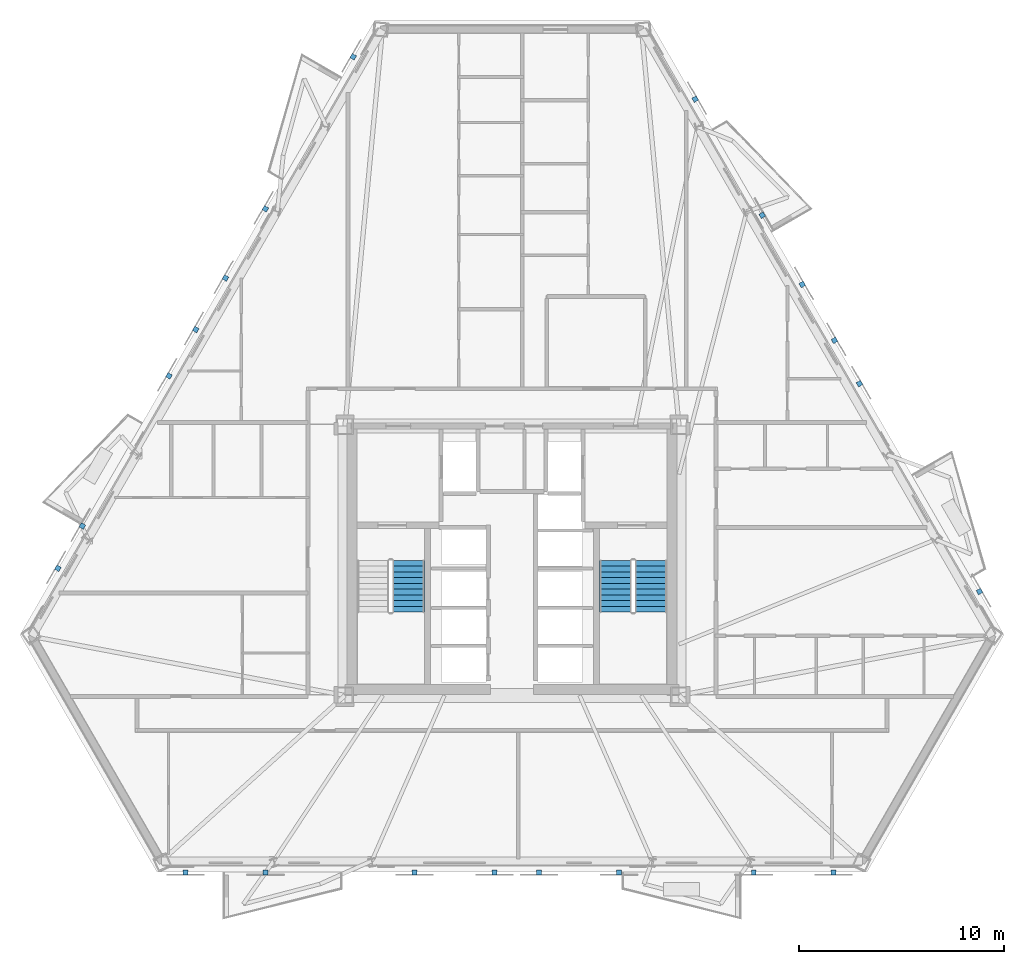
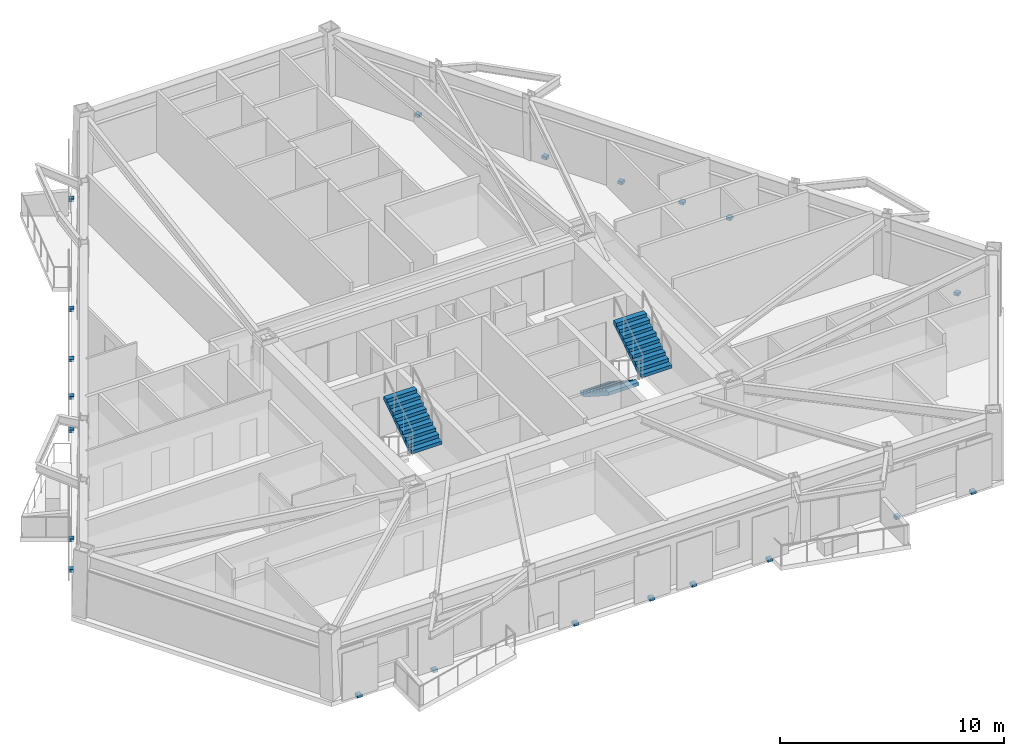
# One storey, part 7 of 11: 21 discrete accessories, 3 stair flights, 2 elements without a shape of their own.
"""IFC4 building model written with IfcOpenShell, lengths in metres."""

from ifc_helpers import new_model, si_unit, direction, frame, origin, origin_2d, place, context, subcontext, project, spatial, polyline, rectangle, outline, extrude, material, type_object, element, aggregate, save


model = new_model("IFC4")

# Units and contexts
model_context = context("Model", 3, precision=1e-05, world=origin(), true_north=direction((0.0, 1.0)))
body_context = subcontext(model_context, "Body", "Model", "MODEL_VIEW")
ifc_project = project(units=[si_unit("LENGTHUNIT", "METRE"), si_unit("AREAUNIT", "SQUARE_METRE"), si_unit("VOLUMEUNIT", "CUBIC_METRE"), si_unit("PLANEANGLEUNIT", "RADIAN"), si_unit("MASSUNIT", "GRAM", prefix="KILO")], contexts=[model_context])

# Site, building, storey
site_placement = place(None, origin())
site = spatial("IfcSite", under=ifc_project, at=site_placement, CompositionType="ELEMENT")
building_placement = place(site_placement, origin())
building = spatial("IfcBuilding", under=site, at=building_placement, Name="Oramaril Tower", CompositionType="ELEMENT")
storey_placement = place(building_placement, frame((0.0, 0.0, 82.5)))
storey = spatial("IfcBuildingStorey", under=building, at=storey_placement, Name="L21", CompositionType="ELEMENT", Elevation=82.5)

# Stair, stair flight
ifc_material_1 = material(Name="Concrete C50/60", Category="concrete")
stair_type = type_object("IfcStairType", Name="STT-DG-3600", PredefinedType="HALF_TURN_STAIR", material=ifc_material_1)
stair_1_placement = place(storey_placement, origin())
stair_1 = element("IfcStair", 1, at=stair_1_placement, inside=storey, type_object=stair_type, Name="L21 Protected PFP Exit Stair ST-1", PredefinedType="HALF_TURN_STAIR")
ifc_material_2 = material(Name="Concrete C50/60", Category="concrete")
stair_flight_type = type_object("IfcStairFlightType", Name="SFT-DG-3600", PredefinedType="STRAIGHT", material=ifc_material_2)
stair_flight_1_placement = place(storey_placement, frame((32.43994140625, 15.070068359375, 1.800048828125), z_axis=(0.0, 0.0, 1.0), x_axis=(0.0, 1.0, 0.0)))
stair_flight_1 = element("IfcStairFlight", 2, at=stair_flight_1_placement, type_object=stair_flight_type, Name="ST-1 flight 2", NumberOfRisers=10, NumberOfTreads=9, PredefinedType="STRAIGHT", RiserHeight=0.18, TreadLength=0.28, context=body_context, shape_type="SweptSolid", body=[
    extrude(outline(polyline([(0.0, 0.0), (0.0, 0.179931640625), (0.280029296875, 0.179931640625), (0.280029296875, 0.360107421875), (0.56005859375, 0.360107421875), (0.56005859375, 0.5400390625), (0.840087890625, 0.5400390625), (0.840087890625, 0.719970703125), (1.1201171875, 0.719970703125), (1.1201171875, 0.89990234375), (1.39990234375, 0.89990234375), (1.39990234375, 1.080078125), (1.679931640625, 1.080078125), (1.679931640625, 1.260009765625), (1.9599609375, 1.260009765625), (1.9599609375, 1.43994140625), (2.239990234375, 1.43994140625), (2.239990234375, 1.6201171875), (2.52001953125, 1.6201171875), (2.52001953125, 1.800048828125), (2.52001953125, 1.44189453125), (0.277099609375, 0.0), (0.0, 0.0)])), frame((0.0, 0.780029296875, 0.0), z_axis=(0.0, -1.0, 0.0), x_axis=(1.0, 0.0, 0.0)), (0.0, 0.0, 1.0), 1.56005859375),
])
aggregate(stair_1, [stair_flight_1])

# Stair, stair flights
stair_2_placement = place(storey_placement, origin())
stair_2 = element("IfcStair", 3, at=stair_2_placement, inside=storey, type_object=stair_type, Name="L21 Protected PFP Exit Stair ST-2", PredefinedType="HALF_TURN_STAIR")
stair_flight_2_placement = place(storey_placement, frame((42.56005859375, 17.590087890625, 0.0), z_axis=(0.0, 0.0, 1.0), x_axis=(0.0, -1.0, 0.0)))
stair_flight_2 = element("IfcStairFlight", 4, at=stair_flight_2_placement, type_object=stair_flight_type, Name="ST-2 flight 1", NumberOfRisers=10, NumberOfTreads=9, PredefinedType="STRAIGHT", RiserHeight=0.18, TreadLength=0.28, context=body_context, shape_type="SweptSolid", body=[
    extrude(outline(polyline([(0.0, 0.0), (0.0, 0.179931640625), (0.280029296875, 0.179931640625), (0.280029296875, 0.360107421875), (0.56005859375, 0.360107421875), (0.56005859375, 0.5400390625), (0.840087890625, 0.5400390625), (0.840087890625, 0.719970703125), (1.1201171875, 0.719970703125), (1.1201171875, 0.89990234375), (1.39990234375, 0.89990234375), (1.39990234375, 1.080078125), (1.679931640625, 1.080078125), (1.679931640625, 1.260009765625), (1.9599609375, 1.260009765625), (1.9599609375, 1.43994140625), (2.239990234375, 1.43994140625), (2.239990234375, 1.6201171875), (2.52001953125, 1.6201171875), (2.52001953125, 1.800048828125), (2.52001953125, 1.44189453125), (0.277099609375, 0.0), (0.0, 0.0)])), frame((0.0, 0.780029296875, 0.0), z_axis=(0.0, -1.0, 0.0), x_axis=(1.0, 0.0, 0.0)), (0.0, 0.0, 1.0), 1.56005859375),
])
stair_flight_3_placement = place(storey_placement, frame((44.27001953125, 15.070068359375, 1.800048828125), z_axis=(0.0, 0.0, 1.0), x_axis=(0.0, 1.0, 0.0)))
stair_flight_3 = element("IfcStairFlight", 5, at=stair_flight_3_placement, type_object=stair_flight_type, Name="ST-2 flight 2", NumberOfRisers=10, NumberOfTreads=9, PredefinedType="STRAIGHT", RiserHeight=0.18, TreadLength=0.28, context=body_context, shape_type="SweptSolid", body=[
    extrude(outline(polyline([(0.0, 0.0), (0.0, 0.179931640625), (0.280029296875, 0.179931640625), (0.280029296875, 0.360107421875), (0.56005859375, 0.360107421875), (0.56005859375, 0.5400390625), (0.840087890625, 0.5400390625), (0.840087890625, 0.719970703125), (1.1201171875, 0.719970703125), (1.1201171875, 0.89990234375), (1.39990234375, 0.89990234375), (1.39990234375, 1.080078125), (1.679931640625, 1.080078125), (1.679931640625, 1.260009765625), (1.9599609375, 1.260009765625), (1.9599609375, 1.43994140625), (2.239990234375, 1.43994140625), (2.239990234375, 1.6201171875), (2.52001953125, 1.6201171875), (2.52001953125, 1.800048828125), (2.52001953125, 1.44189453125), (0.277099609375, 0.0), (0.0, 0.0)])), frame((0.0, 0.780029296875, 0.0), z_axis=(0.0, -1.0, 0.0), x_axis=(1.0, 0.0, 0.0)), (0.0, 0.0, 1.0), 1.56005859375),
])
aggregate(stair_2, [stair_flight_2, stair_flight_3])

# Discrete accessories
for number, where, z_axis, x_axis, name in (
    (6, (21.577880859375, 2.359130859375, -0.14013671875), (0.0, 0.0, 1.0), (1.0, 0.0, 0.0), "L21 Solar Screen Slab Bracket"),
    (7, (25.477783203125, 2.359130859375, -0.14013671875), (0.0, 0.0, 1.0), (1.0, 0.0, 0.0), "L21 Solar Screen Slab Bracket"),
    (8, (32.738037109375, 2.359130859375, -0.14013671875), (0.0, 0.0, 1.0), (1.0, 0.0, 0.0), "L21 Solar Screen Slab Bracket"),
    (9, (36.637939453125, 2.359130859375, -0.14013671875), (0.0, 0.0, 1.0), (1.0, 0.0, 0.0), "L21 Solar Screen Slab Bracket"),
    (10, (38.81201171875, 2.359130859375, -0.14013671875), (0.0, 0.0, 1.0), (1.0, 0.0, 0.0), "L21 Solar Screen Slab Bracket"),
    (11, (42.7119140625, 2.359130859375, -0.14013671875), (0.0, 0.0, 1.0), (1.0, 0.0, 0.0), "L21 Solar Screen Slab Bracket"),
    (12, (49.297119140625, 2.359130859375, -0.14013671875), (0.0, 0.0, 1.0), (1.0, 0.0, 0.0), "L21 Solar Screen Slab Bracket"),
    (13, (53.197265625, 2.359130859375, -0.14013671875), (0.0, 0.0, 1.0), (1.0, 0.0, 0.0), "L21 Solar Screen Slab Bracket"),
    (14, (60.310791015625, 16.072021484375, -0.14013671875), (0.0, 0.0, 1.0), (-0.5, 0.866025403784, 0.0), "L21 Solar Screen Slab Bracket"),
    (15, (46.439697265625, 40.097412109375, -0.14013671875), (0.0, 0.0, 1.0), (-0.5, 0.866025403784, 0.0), "L21 Solar Screen Slab Bracket"),
    (16, (51.659912109375, 31.055908203125, -0.14013671875), (0.0, 0.0, 1.0), (-0.5, 0.866025403784, 0.0), "L21 Solar Screen Slab Bracket"),
    (17, (49.709716796875, 34.433349609375, -0.14013671875), (0.0, 0.0, 1.0), (-0.5, 0.866025403784, 0.0), "L21 Solar Screen Slab Bracket"),
    (18, (54.455322265625, 26.214111328125, -0.14013671875), (0.0, 0.0, 1.0), (-0.5, 0.866025403784, 0.0), "L21 Solar Screen Slab Bracket"),
    (19, (53.235595703125, 28.326416015625, -0.14013671875), (0.0, 0.0, 1.0), (-0.5, 0.866025403784, 0.0), "L21 Solar Screen Slab Bracket"),
    (20, (15.34375, 17.20556640625, -0.14013671875), (0.0, 0.0, 1.0), (-0.5, -0.866025403784, 0.0), "L21 Solar Screen Slab Bracket"),
    (21, (16.534912109375, 19.268798828125, -0.14013671875), (0.0, 0.0, 1.0), (-0.5, -0.866025403784, 0.0), "L21 Solar Screen Slab Bracket"),
    (22, (25.47021484375, 34.7451171875, -0.14013671875), (0.0, 0.0, 1.0), (-0.5, -0.866025403784, 0.0), "L21 Solar Screen Slab Bracket"),
    (23, (23.520263671875, 31.36767578125, -0.14013671875), (0.0, 0.0, 1.0), (-0.5, -0.866025403784, 0.0), "L21 Solar Screen Slab Bracket"),
    (24, (22.070556640625, 28.85693359375, -0.14013671875), (0.0, 0.0, 1.0), (-0.5, -0.866025403784, 0.0), "L21 Solar Screen Slab Bracket"),
    (25, (20.764404296875, 26.59423828125, -0.14013671875), (0.0, 0.0, 1.0), (-0.5, -0.866025403784, 0.0), "L21 Solar Screen Slab Bracket"),
    (26, (29.7529296875, 42.1630859375, -0.14013671875), (0.0, 0.0, 1.0), (-0.5, -0.866025403784, 0.0), "L21 Solar Screen Slab Bracket"),
):
    element("IfcDiscreteAccessory", number, at=place(storey_placement, frame(where, z_axis=z_axis, x_axis=x_axis)), inside=storey, Name=name, PredefinedType="BRACKET", context=body_context, shape_type="SweptSolid", body=[
        extrude(rectangle(XDim=0.239990234375, YDim=0.239990234375, at=origin_2d()), origin(), (0.0, 0.0, 1.0), 0.159912109375),
    ])

save(model, "model.ifc")
